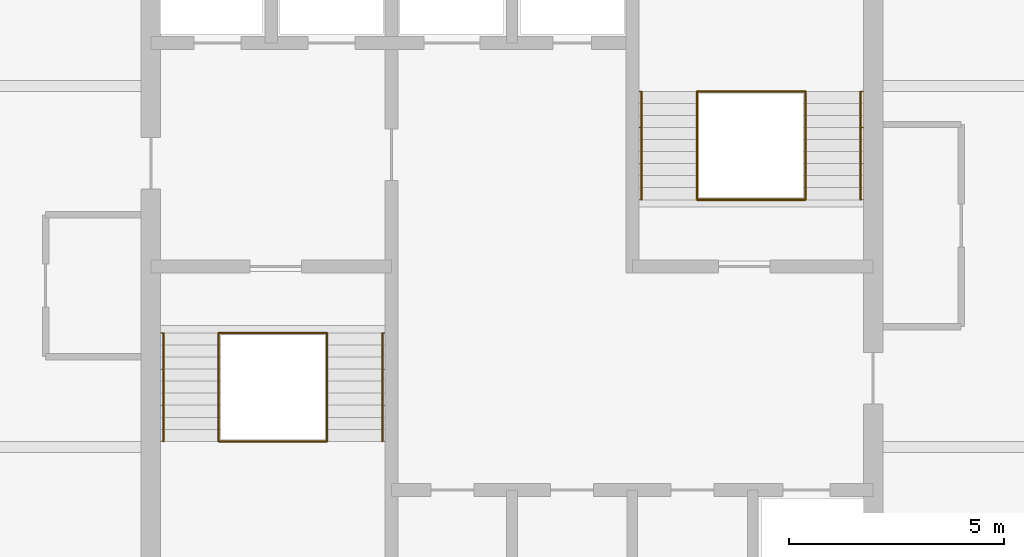
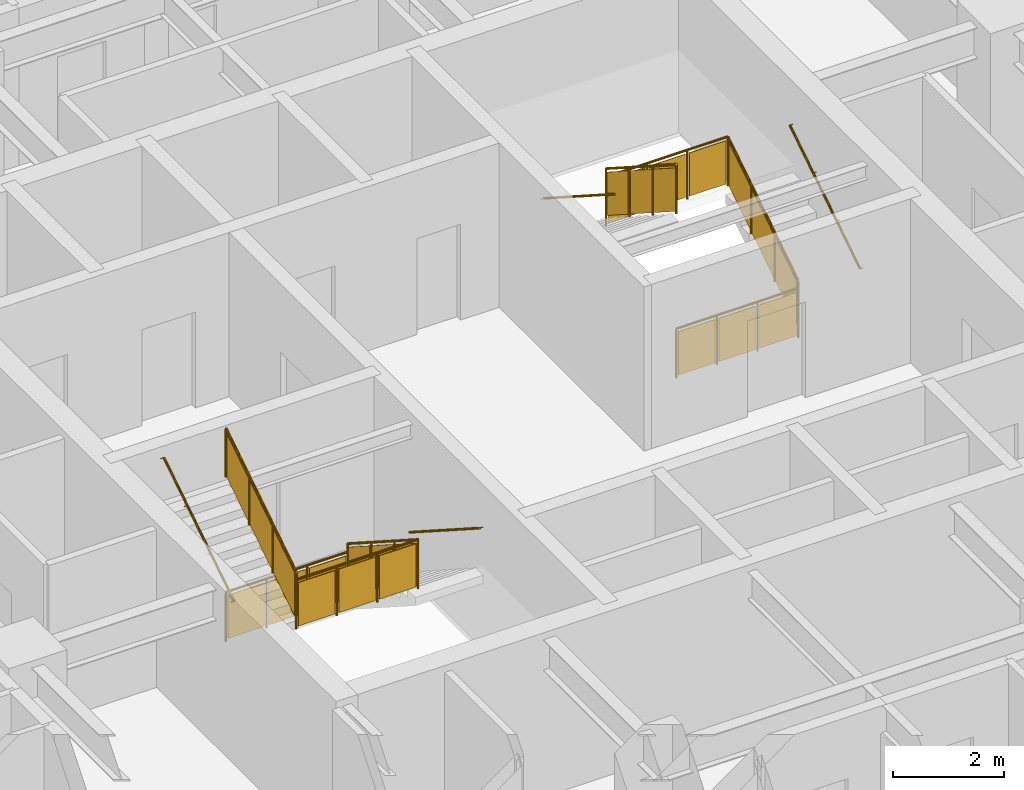
# One storey, part 10 of 10: 12 railings.
"""IFC4 building model written with IfcOpenShell, lengths in metres."""

from ifc_helpers import new_model, si_unit, direction, frame, origin, origin_2d, place, context, subcontext, project, spatial, polyline, circle, outline, extrude, material, type_object, element, save


model = new_model("IFC4")

# Units and contexts
model_context = context("Model", 3, precision=1e-05, world=origin(), true_north=direction((0.0, 1.0)))
body_context = subcontext(model_context, "Body", "Model", "MODEL_VIEW")
ifc_project = project(units=[si_unit("LENGTHUNIT", "METRE"), si_unit("AREAUNIT", "SQUARE_METRE"), si_unit("VOLUMEUNIT", "CUBIC_METRE"), si_unit("PLANEANGLEUNIT", "RADIAN"), si_unit("MASSUNIT", "GRAM", prefix="KILO")], contexts=[model_context])

# Site, building, storey
site_placement = place(None, origin())
site = spatial("IfcSite", under=ifc_project, at=site_placement, CompositionType="ELEMENT")
building_placement = place(site_placement, origin())
building = spatial("IfcBuilding", under=site, at=building_placement, Name="Torre Alcanfor", CompositionType="ELEMENT")
storey_placement = place(building_placement, frame((0.0, 0.0, 272.10009765625)))
storey = spatial("IfcBuildingStorey", under=building, at=storey_placement, Name="L71", CompositionType="ELEMENT", Elevation=272.10009765625)

# Railings
ifc_material_1 = material(Name="Steel ASTM A500 Grade C hollow sections", Category="steel")
railing_type_1 = type_object("IfcRailingType", Name="Stair guard and handrail 1100", PredefinedType="GUARDRAIL", material=ifc_material_1)
railing_1_placement = place(storey_placement, frame((25.10009765625, 27.85009765625, 0.179931640625)))
element("IfcRailing", 1, at=railing_1_placement, inside=storey, type_object=railing_type_1, Name="Stair guard S1 L71 flight 1", PredefinedType="GUARDRAIL", context=body_context, shape_type="SweptSolid", body=[
    extrude(circle(Radius=0.02392578125, at=origin_2d()), frame((0.0, 0.0, 1.076171875), z_axis=(0.0, -0.841199657755, 0.540724639528), x_axis=(1.0, 0.0, 0.0)), (0.0, 0.0, 1.0), 2.995849609375),
    extrude(circle(Radius=0.02099609375, at=origin_2d()), origin(), (0.0, 0.0, 1.0), 1.052001953125),
    extrude(circle(Radius=0.02099609375, at=origin_2d()), frame((0.0, -0.840087890625, 0.5400390625)), (0.0, 0.0, 1.0), 1.052001953125),
    extrude(circle(Radius=0.02099609375, at=origin_2d()), frame((0.0, -1.679931640625, 1.079833984375)), (0.0, 0.0, 1.0), 1.052001953125),
    extrude(circle(Radius=0.02099609375, at=origin_2d()), frame((0.0, -2.52001953125, 1.619873046875)), (0.0, 0.0, 1.0), 1.052001953125),
    extrude(outline(polyline([(0.041015625, 0.076416015625), (0.799072265625, 0.563720703125), (0.799072265625, 1.515625), (0.041015625, 1.0283203125), (0.041015625, 0.076416015625)])), frame((0.005859375, 0.0, 0.0), z_axis=(-1.0, 0.0, 0.0), x_axis=(0.0, -1.0, 0.0)), (0.0, 0.0, 1.0), 0.011962890625),
    extrude(outline(polyline([(0.881103515625, 0.6162109375), (1.638916015625, 1.103515625), (1.638916015625, 2.0556640625), (0.881103515625, 1.568359375), (0.881103515625, 0.6162109375)])), frame((0.005859375, 0.0, 0.0), z_axis=(-1.0, 0.0, 0.0), x_axis=(0.0, -1.0, 0.0)), (0.0, 0.0, 1.0), 0.011962890625),
    extrude(outline(polyline([(1.720947265625, 1.15625), (2.47900390625, 1.6435546875), (2.47900390625, 2.595458984375), (1.720947265625, 2.108154296875), (1.720947265625, 1.15625)])), frame((0.005859375, 0.0, 0.0), z_axis=(-1.0, 0.0, 0.0), x_axis=(0.0, -1.0, 0.0)), (0.0, 0.0, 1.0), 0.011962890625),
])
railing_2_placement = place(storey_placement, frame((22.574951171875, 25.330078125, 1.97998046875)))
element("IfcRailing", 2, at=railing_2_placement, inside=storey, type_object=railing_type_1, Name="Stair guard S1 L71 flight 2", PredefinedType="GUARDRAIL", context=body_context, shape_type="SweptSolid", body=[
    extrude(circle(Radius=0.02392578125, at=origin_2d()), frame((0.0, 0.0, 1.076171875), z_axis=(0.0, 0.841199657755, 0.540724639528), x_axis=(-1.0, 0.0, 0.0)), (0.0, 0.0, 1.0), 2.995849609375),
    extrude(circle(Radius=0.02099609375, at=origin_2d()), origin(), (0.0, 0.0, 1.0), 1.052001953125),
    extrude(circle(Radius=0.02099609375, at=origin_2d()), frame((0.0, 0.840087890625, 0.5400390625)), (0.0, 0.0, 1.0), 1.052001953125),
    extrude(circle(Radius=0.02099609375, at=origin_2d()), frame((0.0, 1.679931640625, 1.079833984375)), (0.0, 0.0, 1.0), 1.052001953125),
    extrude(circle(Radius=0.02099609375, at=origin_2d()), frame((0.0, 2.52001953125, 1.619873046875)), (0.0, 0.0, 1.0), 1.052001953125),
    extrude(outline(polyline([(0.041015625, 0.076416015625), (0.799072265625, 0.563720703125), (0.799072265625, 1.515625), (0.041015625, 1.0283203125), (0.041015625, 0.076416015625)])), frame((-0.005859375, 0.0, 0.0), z_axis=(1.0, 0.0, 0.0), x_axis=(0.0, 1.0, 0.0)), (0.0, 0.0, 1.0), 0.011962890625),
    extrude(outline(polyline([(0.881103515625, 0.6162109375), (1.638916015625, 1.103515625), (1.638916015625, 2.0556640625), (0.881103515625, 1.568359375), (0.881103515625, 0.6162109375)])), frame((-0.005859375, 0.0, 0.0), z_axis=(1.0, 0.0, 0.0), x_axis=(0.0, 1.0, 0.0)), (0.0, 0.0, 1.0), 0.011962890625),
    extrude(outline(polyline([(1.720947265625, 1.15625), (2.47900390625, 1.6435546875), (2.47900390625, 2.595458984375), (1.720947265625, 2.108154296875), (1.720947265625, 1.15625)])), frame((-0.005859375, 0.0, 0.0), z_axis=(1.0, 0.0, 0.0), x_axis=(0.0, 1.0, 0.0)), (0.0, 0.0, 1.0), 0.011962890625),
])
for number, where, name in (
    (3, (22.574951171875, 27.85009765625, 0.0), "Stair well guard S1 L71 floor landing"),
    (4, (22.574951171875, 25.330078125, 1.7998046875), "Stair well guard S1 L71 half landing"),
):
    element("IfcRailing", number, at=place(storey_placement, frame(where)), inside=storey, type_object=railing_type_1, Name=name, PredefinedType="GUARDRAIL", context=body_context, shape_type="SweptSolid", body=[
        extrude(circle(Radius=0.02392578125, at=origin_2d()), frame((0.0, 0.0, 1.076171875), z_axis=(1.0, 0.0, 0.0), x_axis=(0.0, 1.0, 0.0)), (0.0, 0.0, 1.0), 2.525146484375),
        extrude(circle(Radius=0.02099609375, at=origin_2d()), origin(), (0.0, 0.0, 1.0), 1.052001953125),
        extrude(circle(Radius=0.02099609375, at=origin_2d()), frame((0.841796875, 0.0, 0.0)), (0.0, 0.0, 1.0), 1.052001953125),
        extrude(circle(Radius=0.02099609375, at=origin_2d()), frame((1.683349609375, 0.0, 0.0)), (0.0, 0.0, 1.0), 1.052001953125),
        extrude(circle(Radius=0.02099609375, at=origin_2d()), frame((2.525146484375, 0.0, 0.0)), (0.0, 0.0, 1.0), 1.052001953125),
        extrude(outline(polyline([(0.041015625, 0.050048828125), (0.80078125, 0.050048828125), (0.80078125, 1.001953125), (0.041015625, 1.001953125), (0.041015625, 0.050048828125)])), frame((0.0, 0.005859375, 0.0), z_axis=(0.0, -1.0, 0.0), x_axis=(1.0, 0.0, 0.0)), (0.0, 0.0, 1.0), 0.011962890625),
        extrude(outline(polyline([(0.8828125, 0.050048828125), (1.642333984375, 0.050048828125), (1.642333984375, 1.001953125), (0.8828125, 1.001953125), (0.8828125, 0.050048828125)])), frame((0.0, 0.005859375, 0.0), z_axis=(0.0, -1.0, 0.0), x_axis=(1.0, 0.0, 0.0)), (0.0, 0.0, 1.0), 0.011962890625),
        extrude(outline(polyline([(1.724365234375, 0.050048828125), (2.484130859375, 0.050048828125), (2.484130859375, 1.001953125), (1.724365234375, 1.001953125), (1.724365234375, 0.050048828125)])), frame((0.0, 0.005859375, 0.0), z_axis=(0.0, -1.0, 0.0), x_axis=(1.0, 0.0, 0.0)), (0.0, 0.0, 1.0), 0.011962890625),
    ])
railing_3_placement = place(storey_placement, frame((36.22509765625, 30.949951171875, 0.179931640625)))
element("IfcRailing", 5, at=railing_3_placement, inside=storey, type_object=railing_type_1, Name="Stair guard S2 L71 flight 1", PredefinedType="GUARDRAIL", context=body_context, shape_type="SweptSolid", body=[
    extrude(circle(Radius=0.02392578125, at=origin_2d()), frame((0.0, 0.0, 1.076171875), z_axis=(0.0, 0.841199657755, 0.540724639528), x_axis=(-1.0, 0.0, 0.0)), (0.0, 0.0, 1.0), 2.995849609375),
    extrude(circle(Radius=0.02099609375, at=origin_2d()), origin(), (0.0, 0.0, 1.0), 1.052001953125),
    extrude(circle(Radius=0.02099609375, at=origin_2d()), frame((0.0, 0.840087890625, 0.5400390625)), (0.0, 0.0, 1.0), 1.052001953125),
    extrude(circle(Radius=0.02099609375, at=origin_2d()), frame((0.0, 1.679931640625, 1.079833984375)), (0.0, 0.0, 1.0), 1.052001953125),
    extrude(circle(Radius=0.02099609375, at=origin_2d()), frame((0.0, 2.52001953125, 1.619873046875)), (0.0, 0.0, 1.0), 1.052001953125),
    extrude(outline(polyline([(0.041015625, 0.076416015625), (0.799072265625, 0.563720703125), (0.799072265625, 1.515625), (0.041015625, 1.0283203125), (0.041015625, 0.076416015625)])), frame((-0.005859375, 0.0, 0.0), z_axis=(1.0, 0.0, 0.0), x_axis=(0.0, 1.0, 0.0)), (0.0, 0.0, 1.0), 0.011962890625),
    extrude(outline(polyline([(0.881103515625, 0.6162109375), (1.638916015625, 1.103515625), (1.638916015625, 2.0556640625), (0.881103515625, 1.568359375), (0.881103515625, 0.6162109375)])), frame((-0.005859375, 0.0, 0.0), z_axis=(1.0, 0.0, 0.0), x_axis=(0.0, 1.0, 0.0)), (0.0, 0.0, 1.0), 0.011962890625),
    extrude(outline(polyline([(1.720947265625, 1.15625), (2.47900390625, 1.6435546875), (2.47900390625, 2.595458984375), (1.720947265625, 2.108154296875), (1.720947265625, 1.15625)])), frame((-0.005859375, 0.0, 0.0), z_axis=(1.0, 0.0, 0.0), x_axis=(0.0, 1.0, 0.0)), (0.0, 0.0, 1.0), 0.011962890625),
])
railing_4_placement = place(storey_placement, frame((33.699951171875, 33.469970703125, 1.97998046875)))
element("IfcRailing", 6, at=railing_4_placement, inside=storey, type_object=railing_type_1, Name="Stair guard S2 L71 flight 2", PredefinedType="GUARDRAIL", context=body_context, shape_type="SweptSolid", body=[
    extrude(circle(Radius=0.02392578125, at=origin_2d()), frame((0.0, 0.0, 1.076171875), z_axis=(0.0, -0.841199657755, 0.540724639528), x_axis=(1.0, 0.0, 0.0)), (0.0, 0.0, 1.0), 2.995849609375),
    extrude(circle(Radius=0.02099609375, at=origin_2d()), origin(), (0.0, 0.0, 1.0), 1.052001953125),
    extrude(circle(Radius=0.02099609375, at=origin_2d()), frame((0.0, -0.840087890625, 0.5400390625)), (0.0, 0.0, 1.0), 1.052001953125),
    extrude(circle(Radius=0.02099609375, at=origin_2d()), frame((0.0, -1.679931640625, 1.079833984375)), (0.0, 0.0, 1.0), 1.052001953125),
    extrude(circle(Radius=0.02099609375, at=origin_2d()), frame((0.0, -2.52001953125, 1.619873046875)), (0.0, 0.0, 1.0), 1.052001953125),
    extrude(outline(polyline([(0.041015625, 0.076416015625), (0.799072265625, 0.563720703125), (0.799072265625, 1.515625), (0.041015625, 1.0283203125), (0.041015625, 0.076416015625)])), frame((0.005859375, 0.0, 0.0), z_axis=(-1.0, 0.0, 0.0), x_axis=(0.0, -1.0, 0.0)), (0.0, 0.0, 1.0), 0.011962890625),
    extrude(outline(polyline([(0.881103515625, 0.6162109375), (1.638916015625, 1.103515625), (1.638916015625, 2.0556640625), (0.881103515625, 1.568359375), (0.881103515625, 0.6162109375)])), frame((0.005859375, 0.0, 0.0), z_axis=(-1.0, 0.0, 0.0), x_axis=(0.0, -1.0, 0.0)), (0.0, 0.0, 1.0), 0.011962890625),
    extrude(outline(polyline([(1.720947265625, 1.15625), (2.47900390625, 1.6435546875), (2.47900390625, 2.595458984375), (1.720947265625, 2.108154296875), (1.720947265625, 1.15625)])), frame((0.005859375, 0.0, 0.0), z_axis=(-1.0, 0.0, 0.0), x_axis=(0.0, -1.0, 0.0)), (0.0, 0.0, 1.0), 0.011962890625),
])
for number, where, name in (
    (7, (33.699951171875, 30.949951171875, 0.0), "Stair well guard S2 L71 floor landing"),
    (8, (33.699951171875, 33.469970703125, 1.7998046875), "Stair well guard S2 L71 half landing"),
):
    element("IfcRailing", number, at=place(storey_placement, frame(where)), inside=storey, type_object=railing_type_1, Name=name, PredefinedType="GUARDRAIL", context=body_context, shape_type="SweptSolid", body=[
        extrude(circle(Radius=0.02392578125, at=origin_2d()), frame((0.0, 0.0, 1.076171875), z_axis=(1.0, 0.0, 0.0), x_axis=(0.0, 1.0, 0.0)), (0.0, 0.0, 1.0), 2.525146484375),
        extrude(circle(Radius=0.02099609375, at=origin_2d()), origin(), (0.0, 0.0, 1.0), 1.052001953125),
        extrude(circle(Radius=0.02099609375, at=origin_2d()), frame((0.841796875, 0.0, 0.0)), (0.0, 0.0, 1.0), 1.052001953125),
        extrude(circle(Radius=0.02099609375, at=origin_2d()), frame((1.683349609375, 0.0, 0.0)), (0.0, 0.0, 1.0), 1.052001953125),
        extrude(circle(Radius=0.02099609375, at=origin_2d()), frame((2.525146484375, 0.0, 0.0)), (0.0, 0.0, 1.0), 1.052001953125),
        extrude(outline(polyline([(0.041015625, 0.050048828125), (0.80078125, 0.050048828125), (0.80078125, 1.001953125), (0.041015625, 1.001953125), (0.041015625, 0.050048828125)])), frame((0.0, 0.005859375, 0.0), z_axis=(0.0, -1.0, 0.0), x_axis=(1.0, 0.0, 0.0)), (0.0, 0.0, 1.0), 0.011962890625),
        extrude(outline(polyline([(0.8828125, 0.050048828125), (1.642333984375, 0.050048828125), (1.642333984375, 1.001953125), (0.8828125, 1.001953125), (0.8828125, 0.050048828125)])), frame((0.0, 0.005859375, 0.0), z_axis=(0.0, -1.0, 0.0), x_axis=(1.0, 0.0, 0.0)), (0.0, 0.0, 1.0), 0.011962890625),
        extrude(outline(polyline([(1.724365234375, 0.050048828125), (2.484130859375, 0.050048828125), (2.484130859375, 1.001953125), (1.724365234375, 1.001953125), (1.724365234375, 0.050048828125)])), frame((0.0, 0.005859375, 0.0), z_axis=(0.0, -1.0, 0.0), x_axis=(1.0, 0.0, 0.0)), (0.0, 0.0, 1.0), 0.011962890625),
    ])
ifc_material_2 = material(Name="Steel ASTM A500 Grade C hollow sections", Category="steel")
railing_type_2 = type_object("IfcRailingType", Name="Stair wall handrail 900", PredefinedType="HANDRAIL", material=ifc_material_2)
railing_5_placement = place(storey_placement, frame((26.385009765625, 27.85009765625, 0.179931640625)))
element("IfcRailing", 9, at=railing_5_placement, inside=storey, type_object=railing_type_2, Name="Stair handrail S1 L71 flight 1", PredefinedType="HANDRAIL", context=body_context, shape_type="SweptSolid", body=[
    extrude(circle(Radius=0.02392578125, at=origin_2d()), frame((0.0, 0.0, 0.8759765625), z_axis=(0.0, -0.841199657755, 0.540724639528), x_axis=(1.0, 0.0, 0.0)), (0.0, 0.0, 1.0), 2.995849609375),
    extrude(circle(Radius=0.008056640625, at=origin_2d()), frame((0.0, 0.0, 0.8759765625), z_axis=(1.0, 0.0, 0.0), x_axis=(0.0, 0.0, 1.0)), (0.0, 0.0, 1.0), 0.06494140625),
    extrude(circle(Radius=0.008056640625, at=origin_2d()), frame((0.0, -0.840087890625, 1.415771484375), z_axis=(1.0, 0.0, 0.0), x_axis=(0.0, 0.0, 1.0)), (0.0, 0.0, 1.0), 0.06494140625),
    extrude(circle(Radius=0.008056640625, at=origin_2d()), frame((0.0, -1.679931640625, 1.955810546875), z_axis=(1.0, 0.0, 0.0), x_axis=(0.0, 0.0, 1.0)), (0.0, 0.0, 1.0), 0.06494140625),
    extrude(circle(Radius=0.008056640625, at=origin_2d()), frame((0.0, -2.52001953125, 2.49560546875), z_axis=(1.0, 0.0, 0.0), x_axis=(0.0, 0.0, 1.0)), (0.0, 0.0, 1.0), 0.06494140625),
])
railing_6_placement = place(storey_placement, frame((21.2900390625, 25.330078125, 1.97998046875)))
element("IfcRailing", 10, at=railing_6_placement, inside=storey, type_object=railing_type_2, Name="Stair handrail S1 L71 flight 2", PredefinedType="HANDRAIL", context=body_context, shape_type="SweptSolid", body=[
    extrude(circle(Radius=0.02392578125, at=origin_2d()), frame((0.0, 0.0, 0.8759765625), z_axis=(0.0, 0.841199657755, 0.540724639528), x_axis=(-1.0, 0.0, 0.0)), (0.0, 0.0, 1.0), 2.995849609375),
    extrude(circle(Radius=0.008056640625, at=origin_2d()), frame((0.0, 0.0, 0.8759765625), z_axis=(-1.0, 0.0, 0.0), x_axis=(0.0, 0.0, 1.0)), (0.0, 0.0, 1.0), 0.06494140625),
    extrude(circle(Radius=0.008056640625, at=origin_2d()), frame((0.0, 0.840087890625, 1.415771484375), z_axis=(-1.0, 0.0, 0.0), x_axis=(0.0, 0.0, 1.0)), (0.0, 0.0, 1.0), 0.06494140625),
    extrude(circle(Radius=0.008056640625, at=origin_2d()), frame((0.0, 1.679931640625, 1.955810546875), z_axis=(-1.0, 0.0, 0.0), x_axis=(0.0, 0.0, 1.0)), (0.0, 0.0, 1.0), 0.06494140625),
    extrude(circle(Radius=0.008056640625, at=origin_2d()), frame((0.0, 2.52001953125, 2.49560546875), z_axis=(-1.0, 0.0, 0.0), x_axis=(0.0, 0.0, 1.0)), (0.0, 0.0, 1.0), 0.06494140625),
])
railing_7_placement = place(storey_placement, frame((37.510009765625, 30.949951171875, 0.179931640625)))
element("IfcRailing", 11, at=railing_7_placement, inside=storey, type_object=railing_type_2, Name="Stair handrail S2 L71 flight 1", PredefinedType="HANDRAIL", context=body_context, shape_type="SweptSolid", body=[
    extrude(circle(Radius=0.02392578125, at=origin_2d()), frame((0.0, 0.0, 0.8759765625), z_axis=(0.0, 0.841199657755, 0.540724639528), x_axis=(-1.0, 0.0, 0.0)), (0.0, 0.0, 1.0), 2.995849609375),
    extrude(circle(Radius=0.008056640625, at=origin_2d()), frame((0.0, 0.0, 0.8759765625), z_axis=(1.0, 0.0, 0.0), x_axis=(0.0, 0.0, 1.0)), (0.0, 0.0, 1.0), 0.06494140625),
    extrude(circle(Radius=0.008056640625, at=origin_2d()), frame((0.0, 0.840087890625, 1.415771484375), z_axis=(1.0, 0.0, 0.0), x_axis=(0.0, 0.0, 1.0)), (0.0, 0.0, 1.0), 0.06494140625),
    extrude(circle(Radius=0.008056640625, at=origin_2d()), frame((0.0, 1.679931640625, 1.955810546875), z_axis=(1.0, 0.0, 0.0), x_axis=(0.0, 0.0, 1.0)), (0.0, 0.0, 1.0), 0.06494140625),
    extrude(circle(Radius=0.008056640625, at=origin_2d()), frame((0.0, 2.52001953125, 2.49560546875), z_axis=(1.0, 0.0, 0.0), x_axis=(0.0, 0.0, 1.0)), (0.0, 0.0, 1.0), 0.06494140625),
])
railing_8_placement = place(storey_placement, frame((32.4150390625, 33.469970703125, 1.97998046875)))
element("IfcRailing", 12, at=railing_8_placement, inside=storey, type_object=railing_type_2, Name="Stair handrail S2 L71 flight 2", PredefinedType="HANDRAIL", context=body_context, shape_type="SweptSolid", body=[
    extrude(circle(Radius=0.02392578125, at=origin_2d()), frame((0.0, 0.0, 0.8759765625), z_axis=(0.0, -0.841199657755, 0.540724639528), x_axis=(1.0, 0.0, 0.0)), (0.0, 0.0, 1.0), 2.995849609375),
    extrude(circle(Radius=0.008056640625, at=origin_2d()), frame((0.0, 0.0, 0.8759765625), z_axis=(-1.0, 0.0, 0.0), x_axis=(0.0, 0.0, 1.0)), (0.0, 0.0, 1.0), 0.06494140625),
    extrude(circle(Radius=0.008056640625, at=origin_2d()), frame((0.0, -0.840087890625, 1.415771484375), z_axis=(-1.0, 0.0, 0.0), x_axis=(0.0, 0.0, 1.0)), (0.0, 0.0, 1.0), 0.06494140625),
    extrude(circle(Radius=0.008056640625, at=origin_2d()), frame((0.0, -1.679931640625, 1.955810546875), z_axis=(-1.0, 0.0, 0.0), x_axis=(0.0, 0.0, 1.0)), (0.0, 0.0, 1.0), 0.06494140625),
    extrude(circle(Radius=0.008056640625, at=origin_2d()), frame((0.0, -2.52001953125, 2.49560546875), z_axis=(-1.0, 0.0, 0.0), x_axis=(0.0, 0.0, 1.0)), (0.0, 0.0, 1.0), 0.06494140625),
])

save(model, "model.ifc")
